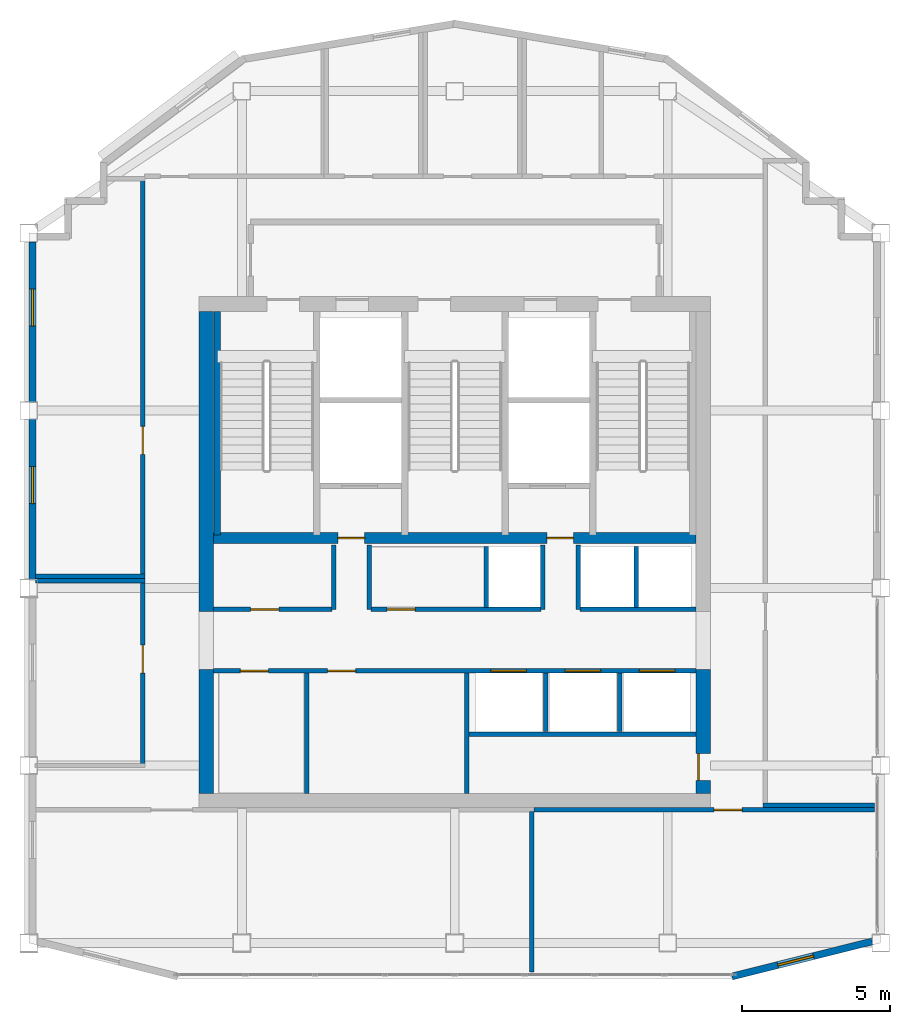
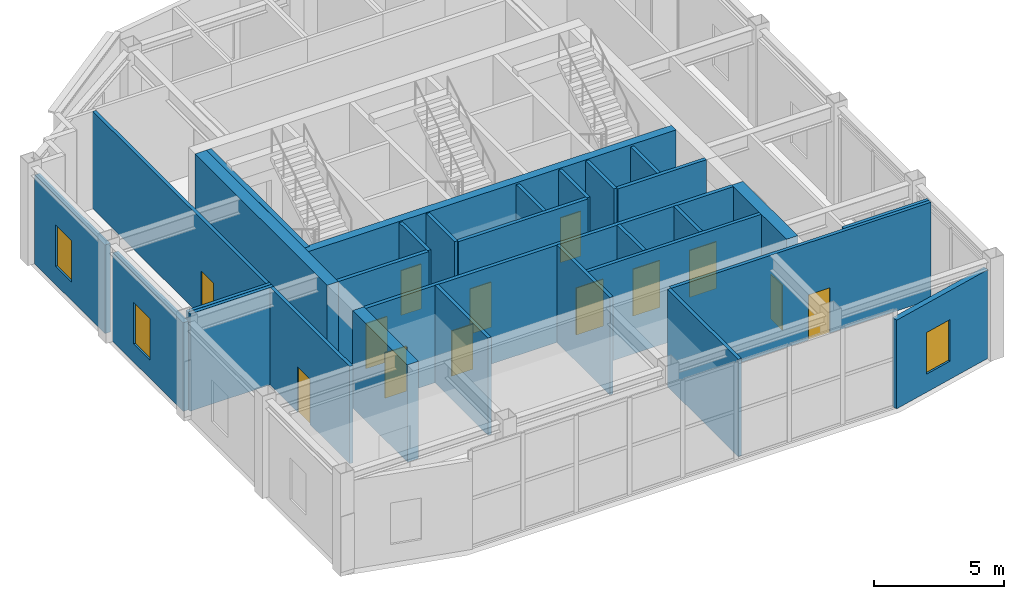
# One storey, part 7 of 11: 30 walls, 13 doors, 3 windows, 16 openings.
"""IFC4 building model written with IfcOpenShell, lengths in metres."""

from ifc_helpers import new_model, si_unit, direction, frame, frame_2d, origin, place, context, subcontext, project, spatial, rectangle, extrude, material, layer, layer_set, type_object, element, fill, save


model = new_model("IFC4")

# Units and contexts
model_context = context("Model", 3, precision=1e-05, world=origin(), true_north=direction((0.0, 1.0)))
body_context = subcontext(model_context, "Body", "Model", "MODEL_VIEW")
ifc_project = project(units=[si_unit("LENGTHUNIT", "METRE"), si_unit("AREAUNIT", "SQUARE_METRE"), si_unit("VOLUMEUNIT", "CUBIC_METRE"), si_unit("PLANEANGLEUNIT", "RADIAN"), si_unit("MASSUNIT", "GRAM", prefix="KILO")], contexts=[model_context])

# Site, building, storey
site_placement = place(None, origin())
site = spatial("IfcSite", under=ifc_project, at=site_placement, CompositionType="ELEMENT")
building_placement = place(site_placement, origin())
building = spatial("IfcBuilding", under=site, at=building_placement, Name="Haolan Belvedere Tower", CompositionType="ELEMENT")
storey_placement = place(building_placement, frame((0.0, 0.0, 313.39990234375)))
storey = spatial("IfcBuildingStorey", under=building, at=storey_placement, Name="L79", CompositionType="ELEMENT", Elevation=313.39990234375)

# Walls
ifc_material_1 = material(Name="Concrete C50/60", Category="concrete")
ifc_layer_1 = layer(ifc_material_1, 0.5, Name="Concrete C50/60")
ifc_layer_set_1 = layer_set([ifc_layer_1], Name="Concrete C50/60")
wall_type_1 = type_object("IfcWallType", Name="WL-CORE-500", PredefinedType="SHEAR", material=ifc_layer_set_1)
wall_1_placement = place(storey_placement, frame((30.0, 26.64990234375, 0.0), z_axis=(0.0, 0.0, 1.0), x_axis=(0.0, 1.0, 0.0)))
element("IfcWall", 1, at=wall_1_placement, inside=storey, type_object=wall_type_1, Name="L79 central core shear wall WS", PredefinedType="SHEAR", context=body_context, shape_type="SweptSolid", body=[
    extrude(rectangle(XDim=4.2001953125, YDim=0.5, at=frame_2d((2.10009765625, 0.0))), origin(), (0.0, 0.0, 1.0), 4.56005859375),
])
wall_2_placement = place(storey_placement, frame((30.0, 32.800048828125, 0.0), z_axis=(0.0, 0.0, 1.0), x_axis=(0.0, 1.0, 0.0)))
element("IfcWall", 2, at=wall_2_placement, inside=storey, type_object=wall_type_1, Name="L79 central core shear wall WN", PredefinedType="SHEAR", context=body_context, shape_type="SweptSolid", body=[
    extrude(rectangle(XDim=10.14990234375, YDim=0.5, at=frame_2d((5.074951171875, 0.0))), origin(), (0.0, 0.0, 1.0), 4.56005859375),
])

# Wall, opening, door
wall_3_placement = place(storey_placement, frame((46.800048828125, 26.64990234375, 0.0), z_axis=(0.0, 0.0, 1.0), x_axis=(0.0, 1.0, 0.0)))
wall_3 = element("IfcWall", 3, at=wall_3_placement, inside=storey, type_object=wall_type_1, Name="L79 central core shear wall ES", PredefinedType="SHEAR", context=body_context, shape_type="SweptSolid", body=[
    extrude(rectangle(XDim=4.2001953125, YDim=0.5, at=frame_2d((2.10009765625, 0.0))), origin(), (0.0, 0.0, 1.0), 4.56005859375),
])
opening_1_placement = place(wall_3_placement, frame((1.349853515625, 0.0, 0.0), z_axis=(0.0, 0.0, 1.0), x_axis=(-1.0, 0.0, 0.0)))
opening_1 = element("IfcOpeningElement", 4, at=opening_1_placement, cuts=wall_3, Name="Opening FD-05", PredefinedType="OPENING", context=body_context, shape_type="SweptSolid", body=[
    extrude(rectangle(XDim=0.89990234375, YDim=2.10009765625, at=frame_2d((0.449951171875, 1.050048828125))), frame((0.0, 0.260009765625, 0.0), z_axis=(0.0, -1.0, 0.0), x_axis=(1.0, 0.0, 0.0)), (0.0, 0.0, 1.0), 0.52001953125),
])
ifc_material_2 = material(Name="Galvanised fire-rated steel", Category="steel")
door_type_1 = type_object("IfcDoorType", Name="DR-FD60-900", OperationType="NOTDEFINED", PredefinedType="DOOR", material=ifc_material_2)
door_1_placement = place(opening_1_placement, origin())
door_1 = element("IfcDoor", 5, at=door_1_placement, inside=storey, type_object=door_type_1, Name="L79 door CD-L79-SCVE", OperationType="SINGLE_SWING_RIGHT", OverallHeight=2.10009765625, OverallWidth=0.89990234375, PredefinedType="DOOR", context=body_context, shape_type="SweptSolid", body=[
    extrude(rectangle(XDim=0.89990234375, YDim=2.10009765625, at=frame_2d((0.449951171875, 1.050048828125))), frame((0.0, -0.134765625, 0.0), z_axis=(0.0, -1.0, 0.0), x_axis=(1.0, 0.0, 0.0)), (0.0, 0.0, 1.0), 0.050048828125),
])
fill(opening_1, door_1)

# Wall, opening, window
ifc_material_3 = material(Name="Precast concrete C40/50", Category="concrete")
ifc_layer_2 = layer(ifc_material_3, 0.239990234375, Name="Precast concrete C40/50")
ifc_layer_set_2 = layer_set([ifc_layer_2], Name="Precast concrete C40/50")
wall_type_2 = type_object("IfcWallType", Name="WL-EXT-240", PredefinedType="SOLIDWALL", material=ifc_layer_set_2)
wall_4_placement = place(storey_placement, frame((47.766845703125, 20.46533203125, 0.0), z_axis=(0.0, 0.0, 1.0), x_axis=(0.970142500145, 0.242535625036, 0.0)))
wall_4 = element("IfcWall", 6, at=wall_4_placement, inside=storey, type_object=wall_type_2, Name="L79 pale-metal exterior spandrel wall 2.1", PredefinedType="SOLIDWALL", context=body_context, shape_type="SweptSolid", body=[
    extrude(rectangle(XDim=4.88720703125, YDim=0.239990234375, at=frame_2d((2.443603515625, 0.0))), origin(), (0.0, 0.0, 1.0), 4.155029296875),
])
opening_2_placement = place(wall_4_placement, frame((1.60009765625, 0.0, 0.85009765625)))
opening_2 = element("IfcOpeningElement", 7, at=opening_2_placement, cuts=wall_4, Name="Opening W-04", PredefinedType="OPENING", context=body_context, shape_type="SweptSolid", body=[
    extrude(rectangle(XDim=1.25, YDim=1.949951171875, at=frame_2d((0.625, 0.97509765625))), frame((0.0, 0.1298828125, 0.0), z_axis=(0.0, -1.0, 0.0), x_axis=(1.0, 0.0, 0.0)), (0.0, 0.0, 1.0), 0.260009765625),
])
ifc_material_4 = material(Name="Anodised aluminium 6063-T6 and Low-E glass", Category="aluminium")
window_type = type_object("IfcWindowType", Name="WN-DECO-Z4", PartitioningType="SINGLE_PANEL", PredefinedType="WINDOW", material=ifc_material_4)
window_1_placement = place(opening_2_placement, origin())
window_1 = element("IfcWindow", 8, at=window_1_placement, inside=storey, type_object=window_type, Name="L79 Art Deco chevron window 1", OverallHeight=1.949951171875, OverallWidth=1.25, PartitioningType="SINGLE_PANEL", PredefinedType="WINDOW", context=body_context, shape_type="SweptSolid", body=[
    extrude(rectangle(XDim=1.25, YDim=1.949951171875, at=frame_2d((0.625, 0.97509765625))), frame((0.0, 0.030029296875, 0.0), z_axis=(0.0, -1.0, 0.0), x_axis=(1.0, 0.0, 0.0)), (0.0, 0.0, 1.0), 0.06005859375),
])
fill(opening_2, window_1)

wall_5_placement = place(storey_placement, frame((24.1201171875, 45.30810546875, 0.0), z_axis=(0.0, 0.0, 1.0), x_axis=(0.0, -1.0, 0.0)))
wall_5 = element("IfcWall", 9, at=wall_5_placement, inside=storey, type_object=wall_type_2, Name="L79 pale-metal exterior spandrel wall 16.1", PredefinedType="SOLIDWALL", context=body_context, shape_type="SweptSolid", body=[
    extrude(rectangle(XDim=5.416015625, YDim=0.239990234375, at=frame_2d((2.7080078125, 0.0))), origin(), (0.0, 0.0, 1.0), 4.155029296875),
])
opening_3_placement = place(wall_5_placement, frame((1.60009765625, 0.0, 0.85009765625)))
opening_3 = element("IfcOpeningElement", 10, at=opening_3_placement, cuts=wall_5, Name="Opening W-04", PredefinedType="OPENING", context=body_context, shape_type="SweptSolid", body=[
    extrude(rectangle(XDim=1.25, YDim=1.949951171875, at=frame_2d((0.625, 0.97509765625))), frame((0.0, 0.1298828125, 0.0), z_axis=(0.0, -1.0, 0.0), x_axis=(1.0, 0.0, 0.0)), (0.0, 0.0, 1.0), 0.260009765625),
])
window_2_placement = place(opening_3_placement, origin())
window_2 = element("IfcWindow", 11, at=window_2_placement, inside=storey, type_object=window_type, Name="L79 Art Deco chevron window 1", OverallHeight=1.949951171875, OverallWidth=1.25, PartitioningType="SINGLE_PANEL", PredefinedType="WINDOW", context=body_context, shape_type="SweptSolid", body=[
    extrude(rectangle(XDim=1.25, YDim=1.949951171875, at=frame_2d((0.625, 0.97509765625))), frame((0.0, 0.030029296875, 0.0), z_axis=(0.0, -1.0, 0.0), x_axis=(1.0, 0.0, 0.0)), (0.0, 0.0, 1.0), 0.06005859375),
])
fill(opening_3, window_2)

wall_6_placement = place(storey_placement, frame((24.1201171875, 39.30810546875, 0.0), z_axis=(0.0, 0.0, 1.0), x_axis=(0.0, -1.0, 0.0)))
wall_6 = element("IfcWall", 12, at=wall_6_placement, inside=storey, type_object=wall_type_2, Name="L79 pale-metal exterior spandrel wall 16.2", PredefinedType="SOLIDWALL", context=body_context, shape_type="SweptSolid", body=[
    extrude(rectangle(XDim=5.416015625, YDim=0.239990234375, at=frame_2d((2.7080078125, 0.0))), origin(), (0.0, 0.0, 1.0), 4.155029296875),
])
opening_4_placement = place(wall_6_placement, frame((1.60009765625, 0.0, 0.85009765625)))
opening_4 = element("IfcOpeningElement", 13, at=opening_4_placement, cuts=wall_6, Name="Opening W-04", PredefinedType="OPENING", context=body_context, shape_type="SweptSolid", body=[
    extrude(rectangle(XDim=1.25, YDim=1.949951171875, at=frame_2d((0.625, 0.97509765625))), frame((0.0, 0.1298828125, 0.0), z_axis=(0.0, -1.0, 0.0), x_axis=(1.0, 0.0, 0.0)), (0.0, 0.0, 1.0), 0.260009765625),
])
window_3_placement = place(opening_4_placement, origin())
window_3 = element("IfcWindow", 14, at=window_3_placement, inside=storey, type_object=window_type, Name="L79 Art Deco chevron window 1", OverallHeight=1.949951171875, OverallWidth=1.25, PartitioningType="SINGLE_PANEL", PredefinedType="WINDOW", context=body_context, shape_type="SweptSolid", body=[
    extrude(rectangle(XDim=1.25, YDim=1.949951171875, at=frame_2d((0.625, 0.97509765625))), frame((0.0, 0.030029296875, 0.0), z_axis=(0.0, -1.0, 0.0), x_axis=(1.0, 0.0, 0.0)), (0.0, 0.0, 1.0), 0.06005859375),
])
fill(opening_4, window_3)

# Walls
ifc_material_5 = material(Name="Double gypsum acoustic stud partition", Category="masonry")
ifc_layer_3 = layer(ifc_material_5, 0.14990234375, Name="Double gypsum acoustic stud partition")
ifc_layer_set_3 = layer_set([ifc_layer_3], Name="Double gypsum acoustic stud partition")
wall_type_3 = type_object("IfcWallType", Name="WL-PART-150", PredefinedType="PARTITIONING", material=ifc_layer_set_3)
wall_7_placement = place(storey_placement, frame((33.39990234375, 26.659912109375, 0.0), z_axis=(0.0, 0.0, 1.0), x_axis=(0.0, 1.0, 0.0)))
element("IfcWall", 15, at=wall_7_placement, inside=storey, type_object=wall_type_3, Name="L79 interior partition IW-L79-DIV-REUSE-PM", PredefinedType="PARTITIONING", context=body_context, shape_type="SweptSolid", body=[
    extrude(rectangle(XDim=4.0751953125, YDim=0.14990234375, at=frame_2d((2.03759765625, 0.0))), origin(), (0.0, 0.0, 1.0), 4.56005859375),
])
wall_8_placement = place(storey_placement, frame((38.860107421875, 28.659912109375, 0.0), z_axis=(0.0, 0.0, 1.0), x_axis=(1.0, 0.0, 0.0)))
element("IfcWall", 16, at=wall_8_placement, inside=storey, type_object=wall_type_3, Name="L79 interior partition IW-L79-SSTRIP-E", PredefinedType="PARTITIONING", context=body_context, shape_type="SweptSolid", body=[
    extrude(rectangle(XDim=7.68994140625, YDim=0.14990234375, at=frame_2d((3.844970703125, 0.0))), origin(), (0.0, 0.0, 1.0), 4.56005859375),
])
wall_9_placement = place(storey_placement, frame((41.0, 20.612060546875, 0.0), z_axis=(0.0, 0.0, 1.0), x_axis=(0.0, 1.0, 0.0)))
element("IfcWall", 17, at=wall_9_placement, inside=storey, type_object=wall_type_3, Name="L79 interior partition IW-L79-SREST-E", PredefinedType="PARTITIONING", context=body_context, shape_type="SweptSolid", body=[
    extrude(rectangle(XDim=5.427978515625, YDim=0.14990234375, at=frame_2d((2.7138671875, 0.0))), origin(), (0.0, 0.0, 1.0), 4.56005859375),
])

# Wall, opening, door
wall_10_placement = place(storey_placement, frame((41.08203125, 26.10009765625, 0.0), z_axis=(0.0, 0.0, 1.0), x_axis=(1.0, 0.0, 0.0)))
wall_10 = element("IfcWall", 18, at=wall_10_placement, inside=storey, type_object=wall_type_3, Name="L79 interior partition IW-L79-PVD1-N", PredefinedType="PARTITIONING", context=body_context, shape_type="SweptSolid", body=[
    extrude(rectangle(XDim=11.505859375, YDim=0.14990234375, at=frame_2d((5.7529296875, 0.0))), origin(), (0.0, 0.0, 1.0), 4.56005859375),
])
opening_5_placement = place(wall_10_placement, frame((7.0361328125, 0.0, 0.0), z_axis=(0.0, 0.0, 1.0), x_axis=(-1.0, 0.0, 0.0)))
opening_5 = element("IfcOpeningElement", 19, at=opening_5_placement, cuts=wall_10, Name="Opening ID-03", PredefinedType="OPENING", context=body_context, shape_type="SweptSolid", body=[
    extrude(rectangle(XDim=0.949951171875, YDim=2.1201171875, at=frame_2d((0.47509765625, 1.06005859375))), frame((0.0, 0.0849609375, 0.0), z_axis=(0.0, -1.0, 0.0), x_axis=(1.0, 0.0, 0.0)), (0.0, 0.0, 1.0), 0.169921875),
])
ifc_material_6 = material(Name="Painted solid-core timber", Category="wood")
door_type_2 = type_object("IfcDoorType", Name="DR-INT-950", OperationType="NOTDEFINED", PredefinedType="DOOR", material=ifc_material_6)
door_2_placement = place(opening_5_placement, origin())
door_2 = element("IfcDoor", 20, at=door_2_placement, inside=storey, type_object=door_type_2, Name="L79 door ID-L79-PVD1", OperationType="SINGLE_SWING_RIGHT", OverallHeight=2.1201171875, OverallWidth=0.949951171875, PredefinedType="DOOR", context=body_context, shape_type="SweptSolid", body=[
    extrude(rectangle(XDim=0.949951171875, YDim=2.1201171875, at=frame_2d((0.47509765625, 1.06005859375))), frame((0.0, 0.02490234375, 0.0), z_axis=(0.0, -1.0, 0.0), x_axis=(1.0, 0.0, 0.0)), (0.0, 0.0, 1.0), 0.050048828125),
])
fill(opening_5, door_2)

# Wall
wall_11_placement = place(storey_placement, frame((24.22509765625, 34.0, 0.0), z_axis=(0.0, 0.0, 1.0), x_axis=(1.0, 0.0, 0.0)))
element("IfcWall", 21, at=wall_11_placement, inside=storey, type_object=wall_type_3, Name="L79 interior partition IW-L79-SKIT-S", PredefinedType="PARTITIONING", context=body_context, shape_type="SweptSolid", body=[
    extrude(rectangle(XDim=3.704833984375, YDim=0.14990234375, at=frame_2d((1.8525390625, 0.0))), origin(), (0.0, 0.0, 1.0), 4.56005859375),
])

# Wall, opening, door
wall_12_placement = place(storey_placement, frame((27.85009765625, 34.06005859375, 0.0), z_axis=(0.0, 0.0, 1.0), x_axis=(0.0, 1.0, 0.0)))
wall_12 = element("IfcWall", 22, at=wall_12_placement, inside=storey, type_object=wall_type_3, Name="L79 interior partition IW-L79-SKIT-E", PredefinedType="PARTITIONING", context=body_context, shape_type="SweptSolid", body=[
    extrude(rectangle(XDim=13.31982421875, YDim=0.14990234375, at=frame_2d((6.659912109375, 0.0))), origin(), (0.0, 0.0, 1.0), 4.56005859375),
])
opening_6_placement = place(wall_12_placement, frame((5.010009765625, 0.0, 0.0), z_axis=(0.0, 0.0, 1.0), x_axis=(-1.0, 0.0, 0.0)))
opening_6 = element("IfcOpeningElement", 23, at=opening_6_placement, cuts=wall_12, Name="Opening ID-03", PredefinedType="OPENING", context=body_context, shape_type="SweptSolid", body=[
    extrude(rectangle(XDim=0.949951171875, YDim=2.1201171875, at=frame_2d((0.47509765625, 1.06005859375))), frame((0.0, 0.0849609375, 0.0), z_axis=(0.0, -1.0, 0.0), x_axis=(1.0, 0.0, 0.0)), (0.0, 0.0, 1.0), 0.169921875),
])
door_3_placement = place(opening_6_placement, origin())
door_3 = element("IfcDoor", 24, at=door_3_placement, inside=storey, type_object=door_type_2, Name="L79 door ID-L79-SKIT", OperationType="SINGLE_SWING_LEFT", OverallHeight=2.1201171875, OverallWidth=0.949951171875, PredefinedType="DOOR", context=body_context, shape_type="SweptSolid", body=[
    extrude(rectangle(XDim=0.949951171875, YDim=2.1201171875, at=frame_2d((0.47509765625, 1.06005859375))), frame((0.0, 0.02490234375, 0.0), z_axis=(0.0, -1.0, 0.0), x_axis=(1.0, 0.0, 0.0)), (0.0, 0.0, 1.0), 0.050048828125),
])
fill(opening_6, door_3)

# Walls
wall_13_placement = place(storey_placement, frame((48.820068359375, 26.25, 0.0), z_axis=(0.0, 0.0, 1.0), x_axis=(1.0, 0.0, 0.0)))
element("IfcWall", 25, at=wall_13_placement, inside=storey, type_object=wall_type_3, Name="L79 interior partition IW-L79-SOMM-S", PredefinedType="PARTITIONING", context=body_context, shape_type="SweptSolid", body=[
    extrude(rectangle(XDim=3.767822265625, YDim=0.14990234375, at=frame_2d((1.8837890625, 0.0))), origin(), (0.0, 0.0, 1.0), 4.56005859375),
])
wall_14_placement = place(storey_placement, frame((24.22509765625, 33.840087890625, 0.0), z_axis=(0.0, 0.0, 1.0), x_axis=(1.0, 0.0, 0.0)))
element("IfcWall", 26, at=wall_14_placement, inside=storey, type_object=wall_type_3, Name="L79 interior partition IW-L79-BAR79-N", PredefinedType="PARTITIONING", context=body_context, shape_type="SweptSolid", body=[
    extrude(rectangle(XDim=3.704833984375, YDim=0.14990234375, at=frame_2d((1.8525390625, 0.0))), origin(), (0.0, 0.0, 1.0), 4.56005859375),
])

# Wall, opening, door
wall_15_placement = place(storey_placement, frame((27.85009765625, 27.659912109375, 0.0), z_axis=(0.0, 0.0, 1.0), x_axis=(0.0, 1.0, 0.0)))
wall_15 = element("IfcWall", 27, at=wall_15_placement, inside=storey, type_object=wall_type_3, Name="L79 interior partition IW-L79-BAR79-E", PredefinedType="PARTITIONING", context=body_context, shape_type="SweptSolid", body=[
    extrude(rectangle(XDim=6.1201171875, YDim=0.14990234375, at=frame_2d((3.06005859375, 0.0))), origin(), (0.0, 0.0, 1.0), 4.56005859375),
])
opening_7_placement = place(wall_15_placement, frame((4.010009765625, 0.0, 0.0), z_axis=(0.0, 0.0, 1.0), x_axis=(-1.0, 0.0, 0.0)))
opening_7 = element("IfcOpeningElement", 28, at=opening_7_placement, cuts=wall_15, Name="Opening ID-03", PredefinedType="OPENING", context=body_context, shape_type="SweptSolid", body=[
    extrude(rectangle(XDim=0.949951171875, YDim=2.1201171875, at=frame_2d((0.47509765625, 1.06005859375))), frame((0.0, 0.0849609375, 0.0), z_axis=(0.0, -1.0, 0.0), x_axis=(1.0, 0.0, 0.0)), (0.0, 0.0, 1.0), 0.169921875),
])
door_4_placement = place(opening_7_placement, origin())
door_4 = element("IfcDoor", 29, at=door_4_placement, inside=storey, type_object=door_type_2, Name="L79 door ID-L79-BAR79", OperationType="SINGLE_SWING_LEFT", OverallHeight=2.1201171875, OverallWidth=0.949951171875, PredefinedType="DOOR", context=body_context, shape_type="SweptSolid", body=[
    extrude(rectangle(XDim=0.949951171875, YDim=2.1201171875, at=frame_2d((0.47509765625, 1.06005859375))), frame((0.0, 0.02490234375, 0.0), z_axis=(0.0, -1.0, 0.0), x_axis=(1.0, 0.0, 0.0)), (0.0, 0.0, 1.0), 0.050048828125),
])
fill(opening_7, door_4)

# Walls
ifc_material_7 = material(Name="Gypsum fire shaftwall assembly", Category="masonry")
ifc_layer_4 = layer(ifc_material_7, 0.1650390625, Name="Gypsum fire shaftwall assembly")
ifc_layer_set_4 = layer_set([ifc_layer_4], Name="Gypsum fire shaftwall assembly")
wall_type_4 = type_object("IfcWallType", Name="WL-SHAFT-160", PredefinedType="SOLIDWALL", material=ifc_layer_set_4)
for number, where, z_axis, x_axis, name in (
    (30, (34.31005859375, 32.8798828125, 0.0), (0.0, 0.0, 1.0), (0.0, 1.0, 0.0), "L79 interior partition IW-L79-SVP-W-SV1"),
    (31, (35.510009765625, 32.8798828125, 0.0), (0.0, 0.0, 1.0), (0.0, 1.0, 0.0), "L79 interior partition IW-L79-SVP-E-SV1"),
    (32, (41.3701171875, 32.8798828125, 0.0), (0.0, 0.0, 1.0), (0.0, 1.0, 0.0), "L79 interior partition IW-L79-SVP-W-SV2"),
    (33, (42.570068359375, 32.8798828125, 0.0), (0.0, 0.0, 1.0), (0.0, 1.0, 0.0), "L79 interior partition IW-L79-SVP-E-SV2"),
):
    element("IfcWall", number, at=place(storey_placement, frame(where, z_axis=z_axis, x_axis=x_axis)), inside=storey, type_object=wall_type_4, Name=name, PredefinedType="SOLIDWALL", context=body_context, shape_type="SweptSolid", body=[
        extrude(rectangle(XDim=2.170166015625, YDim=0.14990234375, at=frame_2d((1.0849609375, 0.0))), origin(), (0.0, 0.0, 1.0), 4.56005859375),
    ])

# Wall, opening, door
wall_16_placement = place(storey_placement, frame((30.25, 32.8798828125, 0.0), z_axis=(0.0, 0.0, 1.0), x_axis=(1.0, 0.0, 0.0)))
wall_16 = element("IfcWall", 34, at=wall_16_placement, inside=storey, type_object=wall_type_4, Name="L79 interior partition IW-L79-ROW-PN1", PredefinedType="SOLIDWALL", context=body_context, shape_type="SweptSolid", body=[
    extrude(rectangle(XDim=4.0, YDim=0.159912109375, at=frame_2d((2.0, 0.0))), origin(), (0.0, 0.0, 1.0), 4.56005859375),
])
opening_8_placement = place(wall_16_placement, frame((2.199951171875, 0.0, 0.0), z_axis=(0.0, 0.0, 1.0), x_axis=(-1.0, 0.0, 0.0)))
opening_8 = element("IfcOpeningElement", 35, at=opening_8_placement, cuts=wall_16, Name="Opening ID-03", PredefinedType="OPENING", context=body_context, shape_type="SweptSolid", body=[
    extrude(rectangle(XDim=0.949951171875, YDim=2.1201171875, at=frame_2d((0.47509765625, 1.06005859375))), frame((0.0, 0.08984375, 0.0), z_axis=(0.0, -1.0, 0.0), x_axis=(1.0, 0.0, 0.0)), (0.0, 0.0, 1.0), 0.179931640625),
])
door_5_placement = place(opening_8_placement, origin())
door_5 = element("IfcDoor", 36, at=door_5_placement, inside=storey, type_object=door_type_2, Name="L79 door ID-L79-CD-RPLW", OperationType="SINGLE_SWING_LEFT", OverallHeight=2.1201171875, OverallWidth=0.949951171875, PredefinedType="DOOR", context=body_context, shape_type="SweptSolid", body=[
    extrude(rectangle(XDim=0.949951171875, YDim=2.1201171875, at=frame_2d((0.47509765625, 1.06005859375))), frame((0.0, 0.02490234375, 0.0), z_axis=(0.0, -1.0, 0.0), x_axis=(1.0, 0.0, 0.0)), (0.0, 0.0, 1.0), 0.050048828125),
])
fill(opening_8, door_5)

wall_17_placement = place(storey_placement, frame((35.570068359375, 32.8798828125, 0.0), z_axis=(0.0, 0.0, 1.0), x_axis=(1.0, 0.0, 0.0)))
wall_17 = element("IfcWall", 37, at=wall_17_placement, inside=storey, type_object=wall_type_4, Name="L79 interior partition IW-L79-ROW-PN2", PredefinedType="SOLIDWALL", context=body_context, shape_type="SweptSolid", body=[
    extrude(rectangle(XDim=5.739990234375, YDim=0.159912109375, at=frame_2d((2.8701171875, 0.0))), origin(), (0.0, 0.0, 1.0), 4.56005859375),
])
opening_9_placement = place(wall_17_placement, frame((1.489990234375, 0.0, 0.0), z_axis=(0.0, 0.0, 1.0), x_axis=(-1.0, 0.0, 0.0)))
opening_9 = element("IfcOpeningElement", 38, at=opening_9_placement, cuts=wall_17, Name="Opening ID-03", PredefinedType="OPENING", context=body_context, shape_type="SweptSolid", body=[
    extrude(rectangle(XDim=0.949951171875, YDim=2.1201171875, at=frame_2d((0.47509765625, 1.06005859375))), frame((0.0, 0.08984375, 0.0), z_axis=(0.0, -1.0, 0.0), x_axis=(1.0, 0.0, 0.0)), (0.0, 0.0, 1.0), 0.179931640625),
])
door_6_placement = place(opening_9_placement, origin())
door_6 = element("IfcDoor", 39, at=door_6_placement, inside=storey, type_object=door_type_2, Name="L79 door ID-L79-CD-RPLE", OperationType="SINGLE_SWING_RIGHT", OverallHeight=2.1201171875, OverallWidth=0.949951171875, PredefinedType="DOOR", context=body_context, shape_type="SweptSolid", body=[
    extrude(rectangle(XDim=0.949951171875, YDim=2.1201171875, at=frame_2d((0.47509765625, 1.06005859375))), frame((0.0, 0.02490234375, 0.0), z_axis=(0.0, -1.0, 0.0), x_axis=(1.0, 0.0, 0.0)), (0.0, 0.0, 1.0), 0.050048828125),
])
fill(opening_9, door_6)

# Walls
wall_18_placement = place(storey_placement, frame((42.6298828125, 32.8798828125, 0.0), z_axis=(0.0, 0.0, 1.0), x_axis=(1.0, 0.0, 0.0)))
element("IfcWall", 40, at=wall_18_placement, inside=storey, type_object=wall_type_4, Name="L79 interior partition IW-L79-ROW-PN3", PredefinedType="SOLIDWALL", context=body_context, shape_type="SweptSolid", body=[
    extrude(rectangle(XDim=3.920166015625, YDim=0.159912109375, at=frame_2d((1.9599609375, 0.0))), origin(), (0.0, 0.0, 1.0), 4.56005859375),
])
for number, where, z_axis, x_axis, name in (
    (41, (39.469970703125, 32.949951171875, 0.0), (0.0, 0.0, 1.0), (0.0, 1.0, 0.0), "L79 interior partition IW-L79-DIV-PL4R"),
    (42, (44.530029296875, 32.949951171875, 0.0), (0.0, 0.0, 1.0), (0.0, 1.0, 0.0), "L79 interior partition IW-L79-DIV-PH2"),
):
    element("IfcWall", number, at=place(storey_placement, frame(where, z_axis=z_axis, x_axis=x_axis)), inside=storey, type_object=wall_type_4, Name=name, PredefinedType="SOLIDWALL", context=body_context, shape_type="SweptSolid", body=[
        extrude(rectangle(XDim=2.050048828125, YDim=0.14990234375, at=frame_2d((1.02490234375, 0.0))), origin(), (0.0, 0.0, 1.0), 4.56005859375),
    ])

# Wall, openings, doors
wall_19_placement = place(storey_placement, frame((30.25, 30.800048828125, 0.0), z_axis=(0.0, 0.0, 1.0), x_axis=(1.0, 0.0, 0.0)))
wall_19 = element("IfcWall", 43, at=wall_19_placement, inside=storey, type_object=wall_type_4, Name="L79 interior partition IW-L79-ROW-PS", PredefinedType="SOLIDWALL", context=body_context, shape_type="SweptSolid", body=[
    extrude(rectangle(XDim=16.300048828125, YDim=0.159912109375, at=frame_2d((8.14990234375, 0.0))), origin(), (0.0, 0.0, 1.0), 4.56005859375),
])
opening_10_placement = place(wall_19_placement, frame((0.89990234375, 0.0, 0.0)))
opening_10 = element("IfcOpeningElement", 44, at=opening_10_placement, cuts=wall_19, Name="Opening ID-03", PredefinedType="OPENING", context=body_context, shape_type="SweptSolid", body=[
    extrude(rectangle(XDim=0.949951171875, YDim=2.1201171875, at=frame_2d((0.47509765625, 1.06005859375))), frame((0.0, 0.08984375, 0.0), z_axis=(0.0, -1.0, 0.0), x_axis=(1.0, 0.0, 0.0)), (0.0, 0.0, 1.0), 0.179931640625),
])
opening_11_placement = place(wall_19_placement, frame((3.85009765625, 0.0, 0.0)))
opening_11 = element("IfcOpeningElement", 45, at=opening_11_placement, cuts=wall_19, Name="Opening ID-03", PredefinedType="OPENING", context=body_context, shape_type="SweptSolid", body=[
    extrude(rectangle(XDim=0.949951171875, YDim=2.1201171875, at=frame_2d((0.47509765625, 1.06005859375))), frame((0.0, 0.08984375, 0.0), z_axis=(0.0, -1.0, 0.0), x_axis=(1.0, 0.0, 0.0)), (0.0, 0.0, 1.0), 0.179931640625),
])
opening_12_placement = place(wall_19_placement, frame((9.3701171875, 0.0, 0.0)))
opening_12 = element("IfcOpeningElement", 46, at=opening_12_placement, cuts=wall_19, Name="Opening LD-02", PredefinedType="OPENING", context=body_context, shape_type="SweptSolid", body=[
    extrude(rectangle(XDim=1.199951171875, YDim=2.199951171875, at=frame_2d((0.60009765625, 1.10009765625))), frame((0.0, 0.08984375, 0.0), z_axis=(0.0, -1.0, 0.0), x_axis=(1.0, 0.0, 0.0)), (0.0, 0.0, 1.0), 0.179931640625),
])
opening_13_placement = place(wall_19_placement, frame((11.8798828125, 0.0, 0.0)))
opening_13 = element("IfcOpeningElement", 47, at=opening_13_placement, cuts=wall_19, Name="Opening LD-02", PredefinedType="OPENING", context=body_context, shape_type="SweptSolid", body=[
    extrude(rectangle(XDim=1.199951171875, YDim=2.199951171875, at=frame_2d((0.60009765625, 1.10009765625))), frame((0.0, 0.08984375, 0.0), z_axis=(0.0, -1.0, 0.0), x_axis=(1.0, 0.0, 0.0)), (0.0, 0.0, 1.0), 0.179931640625),
])
opening_14_placement = place(wall_19_placement, frame((14.389892578125, 0.0, 0.0)))
opening_14 = element("IfcOpeningElement", 48, at=opening_14_placement, cuts=wall_19, Name="Opening LD-02", PredefinedType="OPENING", context=body_context, shape_type="SweptSolid", body=[
    extrude(rectangle(XDim=1.199951171875, YDim=2.199951171875, at=frame_2d((0.60009765625, 1.10009765625))), frame((0.0, 0.08984375, 0.0), z_axis=(0.0, -1.0, 0.0), x_axis=(1.0, 0.0, 0.0)), (0.0, 0.0, 1.0), 0.179931640625),
])
door_7_placement = place(opening_10_placement, origin())
door_7 = element("IfcDoor", 49, at=door_7_placement, inside=storey, type_object=door_type_2, Name="L79 door ID-L79-CD-RPMA", OperationType="SINGLE_SWING_LEFT", OverallHeight=2.1201171875, OverallWidth=0.949951171875, PredefinedType="DOOR", context=body_context, shape_type="SweptSolid", body=[
    extrude(rectangle(XDim=0.949951171875, YDim=2.1201171875, at=frame_2d((0.47509765625, 1.06005859375))), frame((0.0, 0.02490234375, 0.0), z_axis=(0.0, -1.0, 0.0), x_axis=(1.0, 0.0, 0.0)), (0.0, 0.0, 1.0), 0.050048828125),
])
fill(opening_10, door_7)
door_8_placement = place(opening_11_placement, origin())
door_8 = element("IfcDoor", 50, at=door_8_placement, inside=storey, type_object=door_type_2, Name="L79 door ID-L79-CD-RPMB", OperationType="SINGLE_SWING_RIGHT", OverallHeight=2.1201171875, OverallWidth=0.949951171875, PredefinedType="DOOR", context=body_context, shape_type="SweptSolid", body=[
    extrude(rectangle(XDim=0.949951171875, YDim=2.1201171875, at=frame_2d((0.47509765625, 1.06005859375))), frame((0.0, 0.02490234375, 0.0), z_axis=(0.0, -1.0, 0.0), x_axis=(1.0, 0.0, 0.0)), (0.0, 0.0, 1.0), 0.050048828125),
])
fill(opening_11, door_8)
ifc_material_8 = material(Name="Brushed champagne stainless steel 316L", Category="steel")
door_type_3 = type_object("IfcDoorType", Name="DR-LIFT-1200", OperationType="SLIDING_TO_RIGHT", PredefinedType="DOOR", material=ifc_material_8)
door_9_placement = place(opening_12_placement, origin())
door_9 = element("IfcDoor", 51, at=door_9_placement, inside=storey, type_object=door_type_3, Name="L79 door ID-L79-LD-OB1", OperationType="SLIDING_TO_RIGHT", OverallHeight=2.199951171875, OverallWidth=1.199951171875, PredefinedType="DOOR", context=body_context, shape_type="SweptSolid", body=[
    extrude(rectangle(XDim=1.199951171875, YDim=2.199951171875, at=frame_2d((0.60009765625, 1.10009765625))), frame((0.0, 0.02490234375, 0.0), z_axis=(0.0, -1.0, 0.0), x_axis=(1.0, 0.0, 0.0)), (0.0, 0.0, 1.0), 0.050048828125),
])
fill(opening_12, door_9)
door_10_placement = place(opening_13_placement, origin())
door_10 = element("IfcDoor", 52, at=door_10_placement, inside=storey, type_object=door_type_3, Name="L79 door ID-L79-LD-OB2", OperationType="SLIDING_TO_RIGHT", OverallHeight=2.199951171875, OverallWidth=1.199951171875, PredefinedType="DOOR", context=body_context, shape_type="SweptSolid", body=[
    extrude(rectangle(XDim=1.199951171875, YDim=2.199951171875, at=frame_2d((0.60009765625, 1.10009765625))), frame((0.0, 0.02490234375, 0.0), z_axis=(0.0, -1.0, 0.0), x_axis=(1.0, 0.0, 0.0)), (0.0, 0.0, 1.0), 0.050048828125),
])
fill(opening_13, door_10)
door_11_placement = place(opening_14_placement, origin())
door_11 = element("IfcDoor", 53, at=door_11_placement, inside=storey, type_object=door_type_3, Name="L79 door ID-L79-LD-OB3", OperationType="SLIDING_TO_RIGHT", OverallHeight=2.199951171875, OverallWidth=1.199951171875, PredefinedType="DOOR", context=body_context, shape_type="SweptSolid", body=[
    extrude(rectangle(XDim=1.199951171875, YDim=2.199951171875, at=frame_2d((0.60009765625, 1.10009765625))), frame((0.0, 0.02490234375, 0.0), z_axis=(0.0, -1.0, 0.0), x_axis=(1.0, 0.0, 0.0)), (0.0, 0.0, 1.0), 0.050048828125),
])
fill(opening_14, door_11)

# Walls
wall_20_placement = place(storey_placement, frame((38.800048828125, 26.659912109375, 0.0), z_axis=(0.0, 0.0, 1.0), x_axis=(0.0, 1.0, 0.0)))
element("IfcWall", 54, at=wall_20_placement, inside=storey, type_object=wall_type_4, Name="L79 interior partition IW-L79-DIV-PM-OB", PredefinedType="SOLIDWALL", context=body_context, shape_type="SweptSolid", body=[
    extrude(rectangle(XDim=4.0751953125, YDim=0.14990234375, at=frame_2d((2.03759765625, 0.0))), origin(), (0.0, 0.0, 1.0), 4.56005859375),
])
for number, where, z_axis, x_axis, name in (
    (55, (41.469970703125, 28.75, 0.0), (0.0, 0.0, 1.0), (0.0, 1.0, 0.0), "L79 interior partition IW-L79-DIV-OB1"),
    (56, (43.97998046875, 28.75, 0.0), (0.0, 0.0, 1.0), (0.0, 1.0, 0.0), "L79 interior partition IW-L79-DIV-OB2"),
):
    element("IfcWall", number, at=place(storey_placement, frame(where, z_axis=z_axis, x_axis=x_axis)), inside=storey, type_object=wall_type_4, Name=name, PredefinedType="SOLIDWALL", context=body_context, shape_type="SweptSolid", body=[
        extrude(rectangle(XDim=1.985107421875, YDim=0.14990234375, at=frame_2d((0.99267578125, 0.0))), origin(), (0.0, 0.0, 1.0), 4.56005859375),
    ])
ifc_layer_5 = layer(ifc_material_1, 0.219970703125, Name="Concrete C50/60")
ifc_layer_set_5 = layer_set([ifc_layer_5], Name="Concrete C50/60")
wall_type_5 = type_object("IfcWallType", Name="WL-STAIR-220", PredefinedType="SHEAR", material=ifc_layer_set_5)
wall_21_placement = place(storey_placement, frame((30.362060546875, 35.389892578125, 0.0), z_axis=(0.0, 0.0, 1.0), x_axis=(0.0, 1.0, 0.0)))
element("IfcWall", 57, at=wall_21_placement, inside=storey, type_object=wall_type_5, Name="L79 structural stair core wall ST1W", PredefinedType="SHEAR", context=body_context, shape_type="SweptSolid", body=[
    extrude(rectangle(XDim=7.56005859375, YDim=0.219970703125, at=frame_2d((3.780029296875, 0.0))), origin(), (0.0, 0.0, 1.0), 4.56005859375),
])

# Wall, openings, doors
ifc_material_9 = material(Name="Concrete C60/75", Category="concrete")
ifc_layer_6 = layer(ifc_material_9, 0.360107421875, Name="Concrete C60/75")
ifc_layer_set_6 = layer_set([ifc_layer_6], Name="Concrete C60/75")
wall_type_6 = type_object("IfcWallType", Name="WL-WEB-350", PredefinedType="SHEAR", material=ifc_layer_set_6)
wall_22_placement = place(storey_placement, frame((30.25, 35.2900390625, 0.0), z_axis=(0.0, 0.0, 1.0), x_axis=(1.0, 0.0, 0.0)))
wall_22 = element("IfcWall", 58, at=wall_22_placement, inside=storey, type_object=wall_type_6, Name="L79 central core internal shear web", PredefinedType="SHEAR", context=body_context, shape_type="SweptSolid", body=[
    extrude(rectangle(XDim=16.300048828125, YDim=0.360107421875, at=frame_2d((8.14990234375, 0.0))), origin(), (0.0, 0.0, 1.0), 4.56005859375),
])
opening_15_placement = place(wall_22_placement, frame((5.099853515625, 0.0, 0.0), z_axis=(0.0, 0.0, 1.0), x_axis=(-1.0, 0.0, 0.0)))
opening_15 = element("IfcOpeningElement", 59, at=opening_15_placement, cuts=wall_22, Name="Opening FD-05", PredefinedType="OPENING", context=body_context, shape_type="SweptSolid", body=[
    extrude(rectangle(XDim=0.89990234375, YDim=2.10009765625, at=frame_2d((0.449951171875, 1.050048828125))), frame((0.0, 0.18994140625, 0.0), z_axis=(0.0, -1.0, 0.0), x_axis=(1.0, 0.0, 0.0)), (0.0, 0.0, 1.0), 0.380126953125),
])
opening_16_placement = place(wall_22_placement, frame((12.159912109375, 0.0, 0.0), z_axis=(0.0, 0.0, 1.0), x_axis=(-1.0, 0.0, 0.0)))
opening_16 = element("IfcOpeningElement", 60, at=opening_16_placement, cuts=wall_22, Name="Opening FD-05", PredefinedType="OPENING", context=body_context, shape_type="SweptSolid", body=[
    extrude(rectangle(XDim=0.89990234375, YDim=2.10009765625, at=frame_2d((0.449951171875, 1.050048828125))), frame((0.0, 0.18994140625, 0.0), z_axis=(0.0, -1.0, 0.0), x_axis=(1.0, 0.0, 0.0)), (0.0, 0.0, 1.0), 0.380126953125),
])
door_12_placement = place(opening_15_placement, origin())
door_12 = element("IfcDoor", 61, at=door_12_placement, inside=storey, type_object=door_type_1, Name="L79 door CD-L79-SVL-SV1", OperationType="SINGLE_SWING_RIGHT", OverallHeight=2.10009765625, OverallWidth=0.89990234375, PredefinedType="DOOR", context=body_context, shape_type="SweptSolid", body=[
    extrude(rectangle(XDim=0.89990234375, YDim=2.10009765625, at=frame_2d((0.449951171875, 1.050048828125))), frame((0.0, 0.02490234375, 0.0), z_axis=(0.0, -1.0, 0.0), x_axis=(1.0, 0.0, 0.0)), (0.0, 0.0, 1.0), 0.050048828125),
])
fill(opening_15, door_12)
door_13_placement = place(opening_16_placement, origin())
door_13 = element("IfcDoor", 62, at=door_13_placement, inside=storey, type_object=door_type_1, Name="L79 door CD-L79-SVL-SV2", OperationType="SINGLE_SWING_RIGHT", OverallHeight=2.10009765625, OverallWidth=0.89990234375, PredefinedType="DOOR", context=body_context, shape_type="SweptSolid", body=[
    extrude(rectangle(XDim=0.89990234375, YDim=2.10009765625, at=frame_2d((0.449951171875, 1.050048828125))), frame((0.0, 0.02490234375, 0.0), z_axis=(0.0, -1.0, 0.0), x_axis=(1.0, 0.0, 0.0)), (0.0, 0.0, 1.0), 0.050048828125),
])
fill(opening_16, door_13)

save(model, "model.ifc")
